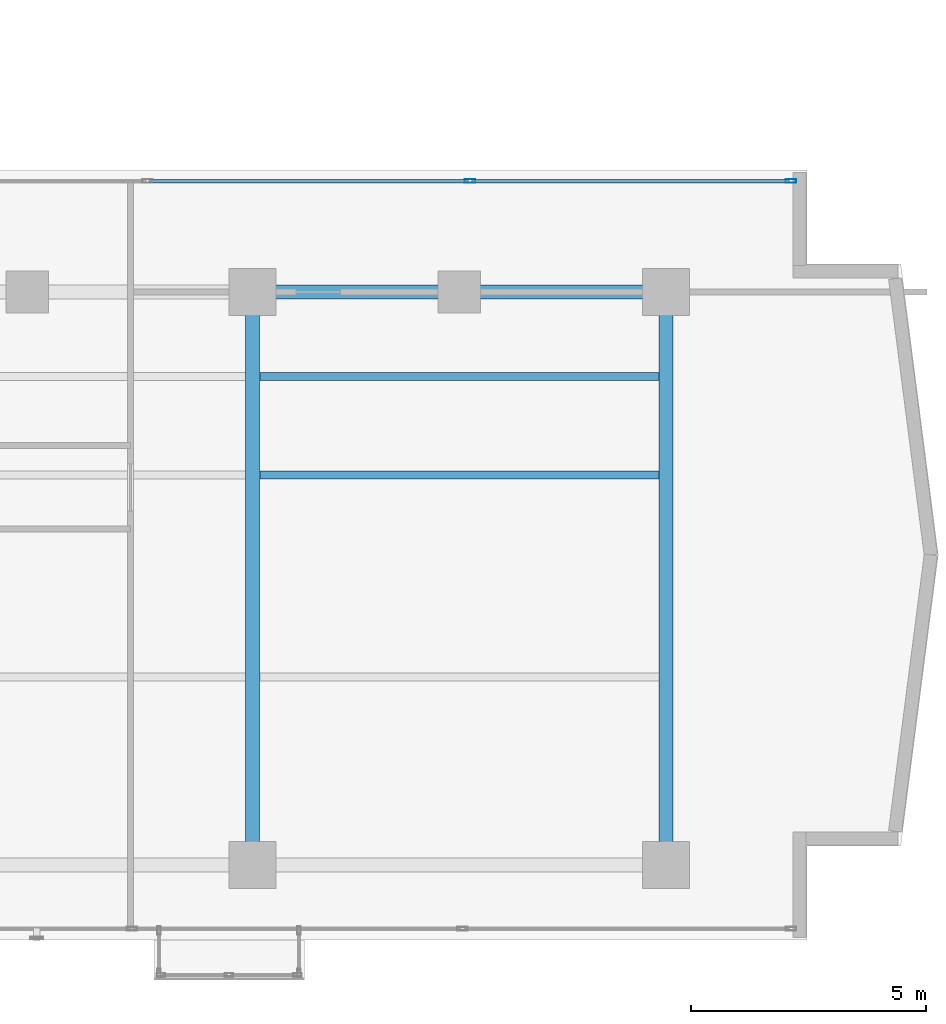
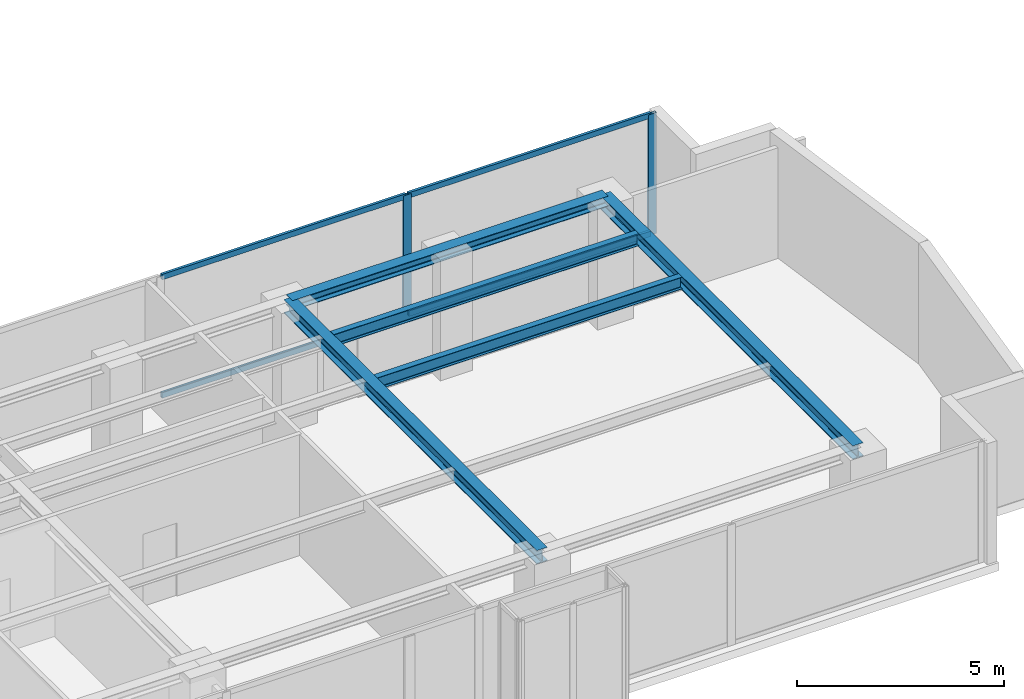
# One storey, part 12 of 24: 6 members, 5 beams, 1 element without a shape of its own.
"""IFC4 building model written with IfcOpenShell, lengths in metres."""

from ifc_helpers import new_model, si_unit, direction, frame, origin, origin_with_axes, origin_2d, place, context, subcontext, project, spatial, hollow_rectangle, i_section, extrude, source, transform, mapped, material, layer, layer_set, material_profile, profile_set, type_object, element, aggregate, save


model = new_model("IFC4")

# Units and contexts
model_context = context("Model", 3, precision=1e-05, world=origin(), true_north=direction((0.0, 1.0)))
body_context = subcontext(model_context, "Body", "Model", "MODEL_VIEW")
ifc_project = project(units=[si_unit("LENGTHUNIT", "METRE"), si_unit("AREAUNIT", "SQUARE_METRE"), si_unit("VOLUMEUNIT", "CUBIC_METRE"), si_unit("PLANEANGLEUNIT", "RADIAN"), si_unit("MASSUNIT", "GRAM", prefix="KILO")], contexts=[model_context])

# Site, building, storey
site_placement = place(None, origin())
site = spatial("IfcSite", under=ifc_project, at=site_placement, CompositionType="ELEMENT")
building_placement = place(site_placement, origin())
building = spatial("IfcBuilding", under=site, at=building_placement, Name="Kolvaren Waterfront Exchange", CompositionType="ELEMENT")
storey_placement = place(building_placement, frame((0.0, 0.0, 238.699951171875)))
storey = spatial("IfcBuildingStorey", under=building, at=storey_placement, Name="L61", CompositionType="ELEMENT", Elevation=238.699951171875)

# Beams
ifc_material_1 = material(Name="Steel S355", Category="steel")
ifc_material_profile_1 = material_profile(ifc_material_1, i_section(OverallWidth=0.300048828125, OverallDepth=0.300048828125, WebThickness=0.010986328125, FlangeThickness=0.01904296875, FilletRadius=0.027099609375, at=origin_2d()), Name="HEB300")
ifc_profile_set_1 = profile_set([ifc_material_profile_1], Name="Steel S355")
beam_type_1 = type_object("IfcBeamType", Name="STR-BM-HEB300", PredefinedType="SPANDREL", material=ifc_profile_set_1)
beam_placement = place(storey_placement, frame((36.800048828125, 17.39990234375, 3.41015625), z_axis=(1.0, 0.0, 0.0), x_axis=(0.0, 1.0, 0.0)))
element("IfcBeam", 1, at=beam_placement, inside=storey, type_object=beam_type_1, Name="L61 east-arm spandrel N3", PredefinedType="SPANDREL", context=body_context, shape_type="SweptSolid", body=[
    extrude(i_section(OverallWidth=0.300048828125, OverallDepth=0.300048828125, WebThickness=0.010986328125, FlangeThickness=0.01904296875, FilletRadius=0.027099609375, at=origin_2d()), origin(), (0.0, 0.0, 1.0), 8.800048828125),
])
ifc_material_profile_2 = material_profile(ifc_material_1, i_section(OverallWidth=0.300048828125, OverallDepth=0.39990234375, WebThickness=0.013427734375, FlangeThickness=0.02392578125, FilletRadius=0.027099609375, at=origin_2d()), Name="HEB400")
ifc_profile_set_2 = profile_set([ifc_material_profile_2], Name="Steel S355")
beam_type_2 = type_object("IfcBeamType", Name="STR-BM-HEB400", PredefinedType="BEAM", material=ifc_profile_set_2)
for number, where, z_axis, x_axis, name in (
    (2, (36.800048828125, 5.199951171875, 3.360107421875), (0.0, 1.0, 0.0), (-1.0, 0.0, 0.0), "L61 east-arm transverse girder X36"),
    (3, (45.60009765625, 5.199951171875, 3.360107421875), (0.0, 1.0, 0.0), (-1.0, 0.0, 0.0), "L61 east-arm transverse girder X45"),
):
    element("IfcBeam", number, at=place(storey_placement, frame(where, z_axis=z_axis, x_axis=x_axis)), inside=storey, type_object=beam_type_2, Name=name, PredefinedType="BEAM", context=body_context, shape_type="SweptSolid", body=[
        extrude(i_section(OverallWidth=0.300048828125, OverallDepth=0.39990234375, WebThickness=0.013427734375, FlangeThickness=0.02392578125, FilletRadius=0.027099609375, at=origin_2d()), origin(), (0.0, 0.0, 1.0), 12.199951171875),
    ])
ifc_material_profile_3 = material_profile(ifc_material_1, i_section(OverallWidth=0.169921875, OverallDepth=0.360107421875, WebThickness=0.008056640625, FlangeThickness=0.0126953125, FilletRadius=0.01806640625, at=origin_2d()), Name="IPE360")
ifc_profile_set_3 = profile_set([ifc_material_profile_3], Name="Steel S355")
beam_type_3 = type_object("IfcBeamType", Name="STR-BM-IPE360", PredefinedType="JOIST", material=ifc_profile_set_3)
for number, where, z_axis, x_axis, name in (
    (4, (36.951904296875, 13.5, 3.380126953125), (1.0, 0.0, 0.0), (0.0, 1.0, 0.0), "L61 east-arm composite joist 3A"),
    (5, (36.951904296875, 15.60009765625, 3.380126953125), (1.0, 0.0, 0.0), (0.0, 1.0, 0.0), "L61 east-arm composite joist 3C"),
):
    element("IfcBeam", number, at=place(storey_placement, frame(where, z_axis=z_axis, x_axis=x_axis)), inside=storey, type_object=beam_type_3, Name=name, PredefinedType="JOIST", context=body_context, shape_type="SweptSolid", body=[
        extrude(i_section(OverallWidth=0.169921875, OverallDepth=0.360107421875, WebThickness=0.008056640625, FlangeThickness=0.0126953125, FilletRadius=0.01806640625, at=origin_2d()), origin(), (0.0, 0.0, 1.0), 8.49609375),
    ])

# Curtain wall, members
ifc_material_2 = material(Name="Anodised bronze aluminium 6063-T6", Category="aluminium")
ifc_layer = layer(ifc_material_2, 0.219970703125, Name="Anodised bronze aluminium 6063-T6")
ifc_layer_set = layer_set([ifc_layer], Name="Anodised bronze aluminium 6063-T6")
curtain_wall_type = type_object("IfcCurtainWallType", Name="ARC-CW-SYS1", PredefinedType="USERDEFINED", material=ifc_layer_set)
curtain_wall_placement = place(storey_placement, origin())
curtain_wall = element("IfcCurtainWall", 6, at=curtain_wall_placement, inside=storey, type_object=curtain_wall_type, Name="L61 stick curtain wall CW1 (CW-L61-EN)", ObjectType="STICK CURTAIN WALL", PredefinedType="USERDEFINED")
ifc_material_3 = material(Name="Anodised aluminium 6063-T6", Category="aluminium")
ifc_material_profile_4 = material_profile(ifc_material_3, hollow_rectangle(XDim=0.080078125, YDim=0.219970703125, WallThickness=0.0048828125, at=origin_2d()), Name="ALU-MUL-220x80x5")
ifc_profile_set_4 = profile_set([ifc_material_profile_4], Name="Anodised aluminium 6063-T6")
member_type_1 = type_object("IfcMemberType", Name="ARC-CWM-220", PredefinedType="MULLION", material=ifc_profile_set_4)
shared_shape_1 = source(origin_with_axes(), body_context, "Body", "SweptSolid", [
    extrude(hollow_rectangle(XDim=0.080078125, YDim=0.219970703125, WallThickness=0.0048828125, at=origin_2d()), origin(), (0.0, 0.0, 1.0), 3.56005859375),
])
member_1_placement = place(storey_placement, frame((41.429931640625, 19.760009765625, 0.0), z_axis=(0.0, 0.0, 1.0), x_axis=(0.0, 1.0, 0.0)))
member_1 = element("IfcMember", 7, at=member_1_placement, type_object=member_type_1, Name="CW1 mullion 3", PredefinedType="MULLION", context=body_context, shape_type="MappedRepresentation", body=[
    mapped(shared_shape_1, transform((0.0, 0.0, 0.0), x_axis=(1.0, 0.0, 0.0), y_axis=(0.0, 1.0, 0.0), z_axis=(0.0, 0.0, 1.0), scale=1.0)),
])
member_2_placement = place(storey_placement, frame((48.260009765625, 19.760009765625, 0.0), z_axis=(0.0, 0.0, 1.0), x_axis=(0.0, 1.0, 0.0)))
member_2 = element("IfcMember", 8, at=member_2_placement, type_object=member_type_1, Name="CW1 mullion 4", PredefinedType="MULLION", context=body_context, shape_type="MappedRepresentation", body=[
    mapped(shared_shape_1, transform((0.0, 0.0, 0.0), x_axis=(1.0, 0.0, 0.0), y_axis=(0.0, 1.0, 0.0), z_axis=(0.0, 0.0, 1.0), scale=1.0)),
])
ifc_material_profile_5 = material_profile(ifc_material_3, hollow_rectangle(XDim=0.074951171875, YDim=0.159912109375, WallThickness=0.00439453125, at=origin_2d()), Name="ALU-TRN-160x75x4.5")
ifc_profile_set_5 = profile_set([ifc_material_profile_5], Name="Anodised aluminium 6063-T6")
member_type_2 = type_object("IfcMemberType", Name="ARC-CWT-160", PredefinedType="USERDEFINED", material=ifc_profile_set_5)
shared_shape_2 = source(origin_with_axes(), body_context, "Body", "SweptSolid", [
    extrude(hollow_rectangle(XDim=0.074951171875, YDim=0.159912109375, WallThickness=0.00439453125, at=origin_2d()), origin(), (0.0, 0.0, 1.0), 6.75),
])
member_3_placement = place(storey_placement, frame((41.469970703125, 19.760009765625, 0.03759765625), z_axis=(1.0, 0.0, 0.0), x_axis=(0.0, 1.0, 0.0)))
member_3 = element("IfcMember", 9, at=member_3_placement, type_object=member_type_2, Name="CW1 transom 3.1", ObjectType="TRANSOM", PredefinedType="USERDEFINED", context=body_context, shape_type="MappedRepresentation", body=[
    mapped(shared_shape_2, transform((0.0, 0.0, 0.0), x_axis=(1.0, 0.0, 0.0), y_axis=(0.0, 1.0, 0.0), z_axis=(0.0, 0.0, 1.0), scale=1.0)),
])
member_4_placement = place(storey_placement, frame((41.469970703125, 19.760009765625, 3.5224609375), z_axis=(1.0, 0.0, 0.0), x_axis=(0.0, 1.0, 0.0)))
member_4 = element("IfcMember", 10, at=member_4_placement, type_object=member_type_2, Name="CW1 transom 3.2", ObjectType="TRANSOM", PredefinedType="USERDEFINED", context=body_context, shape_type="MappedRepresentation", body=[
    mapped(shared_shape_2, transform((0.0, 0.0, 0.0), x_axis=(1.0, 0.0, 0.0), y_axis=(0.0, 1.0, 0.0), z_axis=(0.0, 0.0, 1.0), scale=1.0)),
])
shared_shape_3 = source(origin_with_axes(), body_context, "Body", "SweptSolid", [
    extrude(hollow_rectangle(XDim=0.074951171875, YDim=0.159912109375, WallThickness=0.00439453125, at=origin_2d()), origin(), (0.0, 0.0, 1.0), 6.789794921875),
])
member_5_placement = place(storey_placement, frame((34.60009765625, 19.760009765625, 0.03759765625), z_axis=(1.0, 0.0, 0.0), x_axis=(0.0, 1.0, 0.0)))
member_5 = element("IfcMember", 11, at=member_5_placement, type_object=member_type_2, Name="CW1 transom 2.1", ObjectType="TRANSOM", PredefinedType="USERDEFINED", context=body_context, shape_type="MappedRepresentation", body=[
    mapped(shared_shape_3, transform((0.0, 0.0, 0.0), x_axis=(1.0, 0.0, 0.0), y_axis=(0.0, 1.0, 0.0), z_axis=(0.0, 0.0, 1.0), scale=1.0)),
])
member_6_placement = place(storey_placement, frame((34.60009765625, 19.760009765625, 3.5224609375), z_axis=(1.0, 0.0, 0.0), x_axis=(0.0, 1.0, 0.0)))
member_6 = element("IfcMember", 12, at=member_6_placement, type_object=member_type_2, Name="CW1 transom 2.2", ObjectType="TRANSOM", PredefinedType="USERDEFINED", context=body_context, shape_type="MappedRepresentation", body=[
    mapped(shared_shape_3, transform((0.0, 0.0, 0.0), x_axis=(1.0, 0.0, 0.0), y_axis=(0.0, 1.0, 0.0), z_axis=(0.0, 0.0, 1.0), scale=1.0)),
])
aggregate(curtain_wall, [member_1, member_2, member_5, member_6, member_3, member_4])

save(model, "model.ifc")
